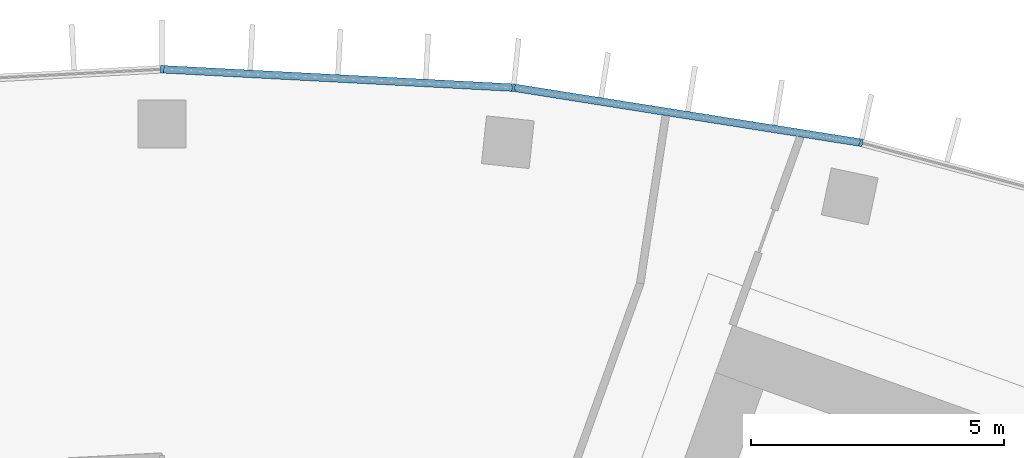
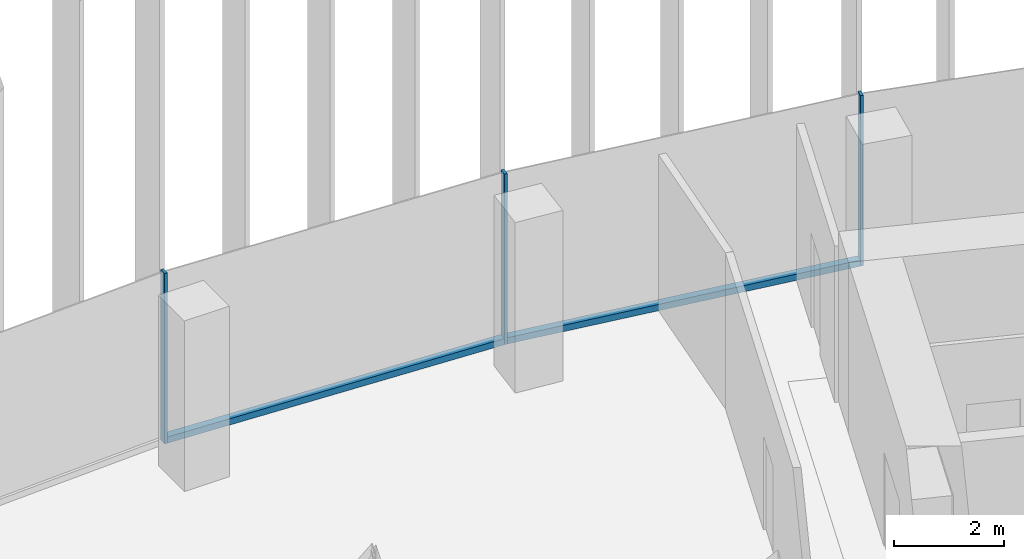
# One storey, part 6 of 20: 5 members, 1 element without a shape of its own.
"""IFC4 building model written with IfcOpenShell, lengths in metres."""

from ifc_helpers import new_model, si_unit, direction, frame, origin, origin_2d, place, context, subcontext, project, spatial, rectangle, extrude, material, layer, layer_set, material_profile, profile_set, type_object, element, aggregate, save


model = new_model("IFC4")

# Units and contexts
model_context = context("Model", 3, precision=1e-05, world=origin(), true_north=direction((0.0, 1.0)))
body_context = subcontext(model_context, "Body", "Model", "MODEL_VIEW")
ifc_project = project(units=[si_unit("LENGTHUNIT", "METRE"), si_unit("AREAUNIT", "SQUARE_METRE"), si_unit("VOLUMEUNIT", "CUBIC_METRE"), si_unit("PLANEANGLEUNIT", "RADIAN"), si_unit("MASSUNIT", "GRAM", prefix="KILO")], contexts=[model_context])

# Site, building, storey
site_placement = place(None, origin())
site = spatial("IfcSite", under=ifc_project, at=site_placement, CompositionType="ELEMENT")
building_placement = place(site_placement, origin())
building = spatial("IfcBuilding", under=site, at=building_placement, Name="Stone Belt Terrace Tower", CompositionType="ELEMENT")
storey_placement = place(building_placement, frame((0.0, 0.0, 201.0)))
storey = spatial("IfcBuildingStorey", under=building, at=storey_placement, Name="L48", CompositionType="ELEMENT", Elevation=201.0)

# Curtain wall, members
ifc_material = material(Name="Aluminium 6063-T6 anodised frame", Category="aluminium")
ifc_layer = layer(ifc_material, 0.14990234375)
ifc_layer_set = layer_set([ifc_layer], Name="CW-A unitised convex-face curtain wall")
curtain_wall_type = type_object("IfcCurtainWallType", Name="CW-A unitised convex-face curtain wall", PredefinedType="NOTDEFINED", material=ifc_layer_set)
curtain_wall_placement = place(storey_placement, origin())
curtain_wall = element("IfcCurtainWall", 1, at=curtain_wall_placement, inside=storey, type_object=curtain_wall_type, Name="CW-A convex face L48", PredefinedType="NOTDEFINED")
ifc_material_profile_1 = material_profile(ifc_material, rectangle(XDim=0.14990234375, YDim=0.06005859375, at=origin_2d()), Name="Aluminium 6063-T6 60x150")
ifc_profile_set_1 = profile_set([ifc_material_profile_1], Name="Aluminium 6063-T6 anodised frame")
member_type_1 = type_object("IfcMemberType", Name="CW-A mullion 60 x 150", PredefinedType="MULLION", material=ifc_profile_set_1)
member_1_placement = place(storey_placement, frame((13.841796875, 65.120361328125, 0.0), z_axis=(0.0, 0.0, 1.0), x_axis=(-0.207911690818, -0.978147600734, 0.0)))
member_1 = element("IfcMember", 2, at=member_1_placement, type_object=member_type_1, Name="CW-A mullion 7", PredefinedType="MULLION", context=body_context, shape_type="SweptSolid", body=[
    extrude(rectangle(XDim=0.14990234375, YDim=0.06005859375, at=origin_2d()), origin(), (0.0, 0.0, 1.0), 3.800048828125),
])
member_2_placement = place(storey_placement, frame((6.958984375, 66.21044921875, 0.0), z_axis=(0.0, 0.0, 1.0), x_axis=(-0.104528463268, -0.994521895368, 0.0)))
member_2 = element("IfcMember", 3, at=member_2_placement, type_object=member_type_1, Name="CW-A mullion 8", PredefinedType="MULLION", context=body_context, shape_type="SweptSolid", body=[
    extrude(rectangle(XDim=0.14990234375, YDim=0.06005859375, at=origin_2d()), origin(), (0.0, 0.0, 1.0), 3.800048828125),
])
member_3_placement = place(storey_placement, frame((0.0, 66.5751953125, 0.0), z_axis=(0.0, 0.0, 1.0), x_axis=(0.0, -1.0, 0.0)))
member_3 = element("IfcMember", 4, at=member_3_placement, type_object=member_type_1, Name="CW-A mullion 9", PredefinedType="MULLION", context=body_context, shape_type="SweptSolid", body=[
    extrude(rectangle(XDim=0.14990234375, YDim=0.06005859375, at=origin_2d()), origin(), (0.0, 0.0, 1.0), 3.800048828125),
])
ifc_material_profile_2 = material_profile(ifc_material, rectangle(XDim=0.14990234375, YDim=0.139892578125, at=origin_2d()), Name="Aluminium 6063-T6 150x140")
ifc_profile_set_2 = profile_set([ifc_material_profile_2], Name="Aluminium 6063-T6 anodised frame")
member_type_2 = type_object("IfcMemberType", Name="CW-A transom 140 x 150", PredefinedType="USERDEFINED", material=ifc_profile_set_2)
member_4_placement = place(storey_placement, frame((13.808349609375, 65.12548828125, 0.070068359375), z_axis=(-0.987687120531, 0.156442168027, 0.0), x_axis=(-0.156442168027, -0.987687120531, 0.0)))
member_4 = element("IfcMember", 5, at=member_4_placement, type_object=member_type_2, Name="CW-A transom 7.1", ObjectType="TRANSOM", PredefinedType="USERDEFINED", context=body_context, shape_type="SweptSolid", body=[
    extrude(rectangle(XDim=0.14990234375, YDim=0.139892578125, at=origin_2d()), origin(), (0.0, 0.0, 1.0), 6.90087890625),
])
member_5_placement = place(storey_placement, frame((6.925048828125, 66.212158203125, 0.070068359375), z_axis=(-0.998630019135, 0.052326712899, 0.0), x_axis=(-0.052326712899, -0.998630019135, 0.0)))
member_5 = element("IfcMember", 6, at=member_5_placement, type_object=member_type_2, Name="CW-A transom 8.1", ObjectType="TRANSOM", PredefinedType="USERDEFINED", context=body_context, shape_type="SweptSolid", body=[
    extrude(rectangle(XDim=0.14990234375, YDim=0.139892578125, at=origin_2d()), origin(), (0.0, 0.0, 1.0), 6.900634765625),
])
aggregate(curtain_wall, [member_1, member_2, member_3, member_4, member_5])

save(model, "model.ifc")
